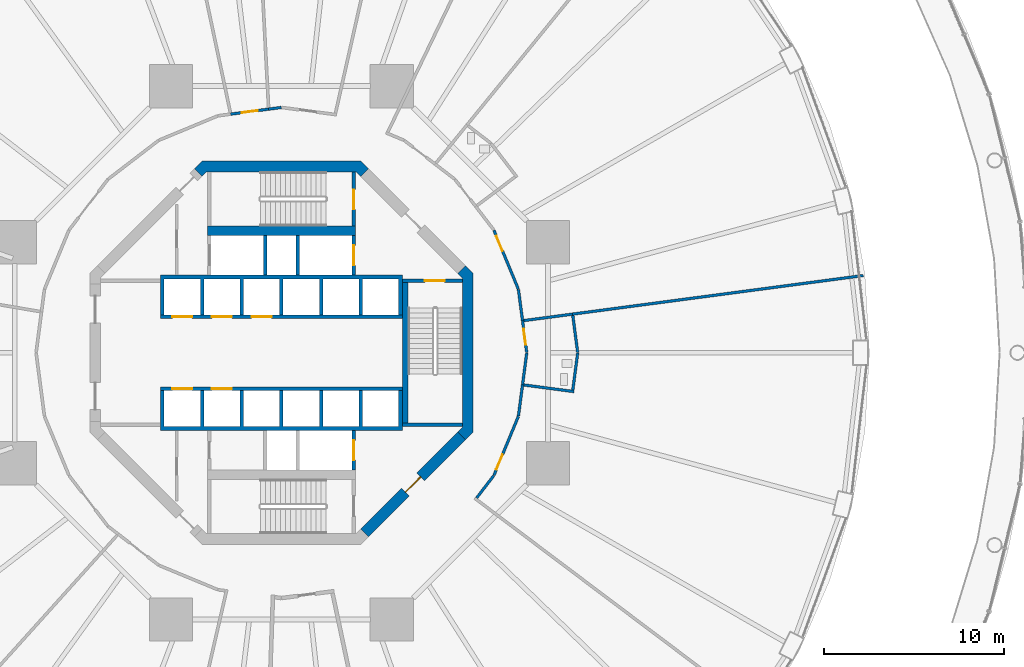
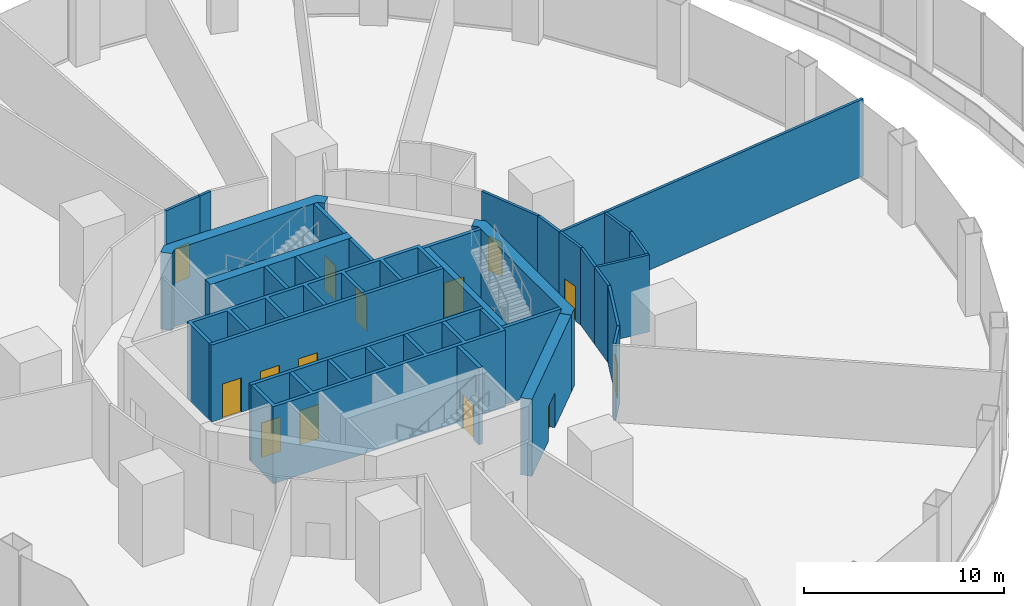
# One storey, part 43 of 47: 30 walls, 14 doors, 14 openings.
"""IFC4 building model written with IfcOpenShell, lengths in metres."""

from ifc_helpers import new_model, si_unit, direction, frame, frame_2d, origin, place, context, subcontext, project, spatial, polyline, rectangle, outline, extrude, material, layer, layer_set, type_object, element, fill, save


model = new_model("IFC4")

# Units and contexts
model_context = context("Model", 3, precision=1e-05, world=origin(), true_north=direction((0.0, 1.0)))
body_context = subcontext(model_context, "Body", "Model", "MODEL_VIEW")
ifc_project = project(units=[si_unit("LENGTHUNIT", "METRE"), si_unit("AREAUNIT", "SQUARE_METRE"), si_unit("VOLUMEUNIT", "CUBIC_METRE"), si_unit("PLANEANGLEUNIT", "RADIAN"), si_unit("MASSUNIT", "GRAM", prefix="KILO")], contexts=[model_context])

# Site, building, storey
site_placement = place(None, origin())
site = spatial("IfcSite", under=ifc_project, at=site_placement, CompositionType="ELEMENT")
building_placement = place(site_placement, origin())
building = spatial("IfcBuilding", under=site, at=building_placement, Name="Nagisa Residences", CompositionType="ELEMENT")
storey_placement = place(building_placement, frame((0.0, 0.0, 7.0)))
storey = spatial("IfcBuildingStorey", under=building, at=storey_placement, Name="L01", CompositionType="ELEMENT", Elevation=7.0)

# Wall, opening, door
ifc_material_1 = material(Name="Concrete C60", Category="concrete")
ifc_layer_1 = layer(ifc_material_1, 0.60009765625)
ifc_layer_set_1 = layer_set([ifc_layer_1], Name="Core shear wall 600")
wall_type_1 = type_object("IfcWallType", Name="Core shear wall 600", PredefinedType="SHEAR", material=ifc_layer_set_1)
wall_1_placement = place(storey_placement, frame((4.613037109375, -9.98828125, 0.0), z_axis=(0.0, 0.0, 1.0), x_axis=(0.707106781187, 0.707106781187, 0.0)))
wall_1 = element("IfcWall", 1, at=wall_1_placement, inside=storey, type_object=wall_type_1, Name="wall:L01:core:flat7", PredefinedType="SHEAR", context=body_context, shape_type="SweptSolid", body=[
    extrude(rectangle(XDim=7.601806640625, YDim=0.60009765625, at=frame_2d((3.80078125, 0.0))), origin(), (0.0, 0.0, 1.0), 4.699951171875),
])
opening_1_placement = place(wall_1_placement, frame((3.200927734375, 0.0, 0.0)))
opening_1 = element("IfcOpeningElement", 2, at=opening_1_placement, cuts=wall_1, Name="Opening L01-C16", PredefinedType="OPENING", context=body_context, shape_type="SweptSolid", body=[
    extrude(rectangle(XDim=1.199951171875, YDim=2.10009765625, at=frame_2d((0.60009765625, 1.050048828125))), frame((0.0, 0.31005859375, 0.0), z_axis=(0.0, -1.0, 0.0), x_axis=(1.0, 0.0, 0.0)), (0.0, 0.0, 1.0), 0.6201171875),
])
ifc_material_2 = material(Name="Steel fire door", Category="steel")
door_type_1 = type_object("IfcDoorType", Name="Fire door EI60 1200x2100 single swing", OperationType="NOTDEFINED", PredefinedType="DOOR", material=ifc_material_2)
door_1_placement = place(opening_1_placement, origin())
door_1 = element("IfcDoor", 3, at=door_1_placement, inside=storey, type_object=door_type_1, Name="Firefighting lobby 2 door L01", OperationType="SINGLE_SWING_LEFT", OverallHeight=2.10009765625, OverallWidth=1.199951171875, PredefinedType="DOOR", context=body_context, shape_type="SweptSolid", body=[
    extrude(rectangle(XDim=1.199951171875, YDim=2.10009765625, at=frame_2d((0.60009765625, 1.050048828125))), frame((0.0, 0.02490234375, 0.0), z_axis=(0.0, -1.0, 0.0), x_axis=(1.0, 0.0, 0.0)), (0.0, 0.0, 1.0), 0.050048828125),
])
fill(opening_1, door_1)

# Walls
wall_2_placement = place(storey_placement, origin())
element("IfcWall", 4, at=wall_2_placement, inside=storey, type_object=wall_type_1, Name="wall:L01:core:flat2", PredefinedType="SHEAR", context=body_context, shape_type="SweptSolid", body=[
    extrude(outline(polyline([(-4.15234375, 10.024658203125), (-4.40087890625, 9.776123046875), (-4.8251953125, 10.200439453125), (-4.40087890625, 10.62451171875), (4.40087890625, 10.62451171875), (4.8251953125, 10.200439453125), (4.40087890625, 9.776123046875), (4.15234375, 10.024658203125), (-4.15234375, 10.024658203125)])), origin(), (0.0, 0.0, 1.0), 4.699951171875),
])
wall_3_placement = place(storey_placement, origin())
element("IfcWall", 5, at=wall_3_placement, inside=storey, type_object=wall_type_1, Name="wall:L01:core:flat0", PredefinedType="SHEAR", context=body_context, shape_type="SweptSolid", body=[
    extrude(outline(polyline([(9.776123046875, -4.40087890625), (10.024658203125, -4.15234375), (10.024658203125, -3.801025390625), (10.024658203125, 4.15234375), (9.776123046875, 4.40087890625), (10.200439453125, 4.8251953125), (10.62451171875, 4.40087890625), (10.62451171875, -4.40087890625), (10.200439453125, -4.8251953125), (9.776123046875, -4.40087890625)])), origin(), (0.0, 0.0, 1.0), 4.699951171875),
])

# Wall, opening, door
ifc_material_3 = material(Name="Concrete C60", Category="concrete")
ifc_layer_2 = layer(ifc_material_3, 0.199951171875)
ifc_layer_set_2 = layer_set([ifc_layer_2], Name="Lift shaft wall 200")
wall_type_2 = type_object("IfcWallType", Name="Lift shaft wall 200", PredefinedType="SOLIDWALL", material=ifc_layer_set_2)
wall_4_placement = place(storey_placement, frame((4.0, 4.300048828125, 0.0), z_axis=(0.0, 0.0, 1.0), x_axis=(0.0, 1.0, 0.0)))
wall_4 = element("IfcWall", 6, at=wall_4_placement, inside=storey, type_object=wall_type_2, Name="wall:L01:Nb3", PredefinedType="SOLIDWALL", context=body_context, shape_type="SweptSolid", body=[
    extrude(rectangle(XDim=2.199951171875, YDim=0.199951171875, at=frame_2d((1.10009765625, 0.0))), origin(), (0.0, 0.0, 1.0), 4.699951171875),
])
opening_2_placement = place(wall_4_placement, frame((0.550048828125, 0.0, 0.0)))
opening_2 = element("IfcOpeningElement", 7, at=opening_2_placement, cuts=wall_4, Name="Opening L01-C06", PredefinedType="OPENING", context=body_context, shape_type="SweptSolid", body=[
    extrude(rectangle(XDim=1.10009765625, YDim=2.10009765625, at=frame_2d((0.550048828125, 1.050048828125))), frame((0.0, 0.10986328125, 0.0), z_axis=(0.0, -1.0, 0.0), x_axis=(1.0, 0.0, 0.0)), (0.0, 0.0, 1.0), 0.219970703125),
])
ifc_material_4 = material(Name="Stainless steel", Category="steel")
door_type_2 = type_object("IfcDoorType", Name="Lift landing door 1100x2100", OperationType="DOUBLE_DOOR_SLIDING", PredefinedType="DOOR", material=ifc_material_4)
door_2_placement = place(opening_2_placement, origin())
door_2 = element("IfcDoor", 8, at=door_2_placement, inside=storey, type_object=door_type_2, Name="Landing door FL1 L01", OperationType="DOUBLE_DOOR_SLIDING", OverallHeight=2.10009765625, OverallWidth=1.10009765625, PredefinedType="DOOR", context=body_context, shape_type="SweptSolid", body=[
    extrude(rectangle(XDim=1.10009765625, YDim=2.10009765625, at=frame_2d((0.550048828125, 1.050048828125))), frame((0.0, 0.02490234375, 0.0), z_axis=(0.0, -1.0, 0.0), x_axis=(1.0, 0.0, 0.0)), (0.0, 0.0, 1.0), 0.050048828125),
])
fill(opening_2, door_2)

# Wall, openings, doors
wall_5_placement = place(storey_placement, frame((-6.699951171875, 2.0, 0.0), z_axis=(0.0, 0.0, 1.0), x_axis=(1.0, 0.0, 0.0)))
wall_5 = element("IfcWall", 9, at=wall_5_placement, inside=storey, type_object=wall_type_2, Name="wall:L01:Nfront", PredefinedType="SOLIDWALL", context=body_context, shape_type="SweptSolid", body=[
    extrude(rectangle(XDim=13.39990234375, YDim=0.199951171875, at=frame_2d((6.699951171875, 0.0))), origin(), (0.0, 0.0, 1.0), 4.699951171875),
])
opening_3_placement = place(wall_5_placement, frame((0.64990234375, 0.0, 0.0)))
opening_3 = element("IfcOpeningElement", 10, at=opening_3_placement, cuts=wall_5, Name="Opening L01-C01", PredefinedType="OPENING", context=body_context, shape_type="SweptSolid", body=[
    extrude(rectangle(XDim=1.10009765625, YDim=2.10009765625, at=frame_2d((0.550048828125, 1.050048828125))), frame((0.0, 0.10986328125, 0.0), z_axis=(0.0, -1.0, 0.0), x_axis=(1.0, 0.0, 0.0)), (0.0, 0.0, 1.0), 0.219970703125),
])
opening_4_placement = place(wall_5_placement, frame((2.85009765625, 0.0, 0.0)))
opening_4 = element("IfcOpeningElement", 11, at=opening_4_placement, cuts=wall_5, Name="Opening L01-C02", PredefinedType="OPENING", context=body_context, shape_type="SweptSolid", body=[
    extrude(rectangle(XDim=1.10009765625, YDim=2.10009765625, at=frame_2d((0.550048828125, 1.050048828125))), frame((0.0, 0.10986328125, 0.0), z_axis=(0.0, -1.0, 0.0), x_axis=(1.0, 0.0, 0.0)), (0.0, 0.0, 1.0), 0.219970703125),
])
opening_5_placement = place(wall_5_placement, frame((5.050048828125, 0.0, 0.0)))
opening_5 = element("IfcOpeningElement", 12, at=opening_5_placement, cuts=wall_5, Name="Opening L01-C03", PredefinedType="OPENING", context=body_context, shape_type="SweptSolid", body=[
    extrude(rectangle(XDim=1.10009765625, YDim=2.10009765625, at=frame_2d((0.550048828125, 1.050048828125))), frame((0.0, 0.10986328125, 0.0), z_axis=(0.0, -1.0, 0.0), x_axis=(1.0, 0.0, 0.0)), (0.0, 0.0, 1.0), 0.219970703125),
])
door_3_placement = place(opening_3_placement, origin())
door_3 = element("IfcDoor", 13, at=door_3_placement, inside=storey, type_object=door_type_2, Name="Landing door A1 L01", OperationType="DOUBLE_DOOR_SLIDING", OverallHeight=2.10009765625, OverallWidth=1.10009765625, PredefinedType="DOOR", context=body_context, shape_type="SweptSolid", body=[
    extrude(rectangle(XDim=1.10009765625, YDim=2.10009765625, at=frame_2d((0.550048828125, 1.050048828125))), frame((0.0, 0.02490234375, 0.0), z_axis=(0.0, -1.0, 0.0), x_axis=(1.0, 0.0, 0.0)), (0.0, 0.0, 1.0), 0.050048828125),
])
fill(opening_3, door_3)
door_4_placement = place(opening_4_placement, origin())
door_4 = element("IfcDoor", 14, at=door_4_placement, inside=storey, type_object=door_type_2, Name="Landing door A2 L01", OperationType="DOUBLE_DOOR_SLIDING", OverallHeight=2.10009765625, OverallWidth=1.10009765625, PredefinedType="DOOR", context=body_context, shape_type="SweptSolid", body=[
    extrude(rectangle(XDim=1.10009765625, YDim=2.10009765625, at=frame_2d((0.550048828125, 1.050048828125))), frame((0.0, 0.02490234375, 0.0), z_axis=(0.0, -1.0, 0.0), x_axis=(1.0, 0.0, 0.0)), (0.0, 0.0, 1.0), 0.050048828125),
])
fill(opening_4, door_4)
door_5_placement = place(opening_5_placement, origin())
door_5 = element("IfcDoor", 15, at=door_5_placement, inside=storey, type_object=door_type_2, Name="Landing door A3 L01", OperationType="DOUBLE_DOOR_SLIDING", OverallHeight=2.10009765625, OverallWidth=1.10009765625, PredefinedType="DOOR", context=body_context, shape_type="SweptSolid", body=[
    extrude(rectangle(XDim=1.10009765625, YDim=2.10009765625, at=frame_2d((0.550048828125, 1.050048828125))), frame((0.0, 0.02490234375, 0.0), z_axis=(0.0, -1.0, 0.0), x_axis=(1.0, 0.0, 0.0)), (0.0, 0.0, 1.0), 0.050048828125),
])
fill(opening_5, door_5)

# Wall, opening, door
wall_6_placement = place(storey_placement, frame((4.0, -6.5, 0.0), z_axis=(0.0, 0.0, 1.0), x_axis=(0.0, 1.0, 0.0)))
wall_6 = element("IfcWall", 16, at=wall_6_placement, inside=storey, type_object=wall_type_2, Name="wall:L01:Sb3", PredefinedType="SOLIDWALL", context=body_context, shape_type="SweptSolid", body=[
    extrude(rectangle(XDim=2.199951171875, YDim=0.199951171875, at=frame_2d((1.10009765625, 0.0))), origin(), (0.0, 0.0, 1.0), 4.699951171875),
])
opening_6_placement = place(wall_6_placement, frame((0.550048828125, 0.0, 0.0)))
opening_6 = element("IfcOpeningElement", 17, at=opening_6_placement, cuts=wall_6, Name="Opening L01-C07", PredefinedType="OPENING", context=body_context, shape_type="SweptSolid", body=[
    extrude(rectangle(XDim=1.10009765625, YDim=2.10009765625, at=frame_2d((0.550048828125, 1.050048828125))), frame((0.0, 0.10986328125, 0.0), z_axis=(0.0, -1.0, 0.0), x_axis=(1.0, 0.0, 0.0)), (0.0, 0.0, 1.0), 0.219970703125),
])
door_6_placement = place(opening_6_placement, origin())
door_6 = element("IfcDoor", 18, at=door_6_placement, inside=storey, type_object=door_type_2, Name="Landing door FL2 L01", OperationType="DOUBLE_DOOR_SLIDING", OverallHeight=2.10009765625, OverallWidth=1.10009765625, PredefinedType="DOOR", context=body_context, shape_type="SweptSolid", body=[
    extrude(rectangle(XDim=1.10009765625, YDim=2.10009765625, at=frame_2d((0.550048828125, 1.050048828125))), frame((0.0, 0.02490234375, 0.0), z_axis=(0.0, -1.0, 0.0), x_axis=(1.0, 0.0, 0.0)), (0.0, 0.0, 1.0), 0.050048828125),
])
fill(opening_6, door_6)

# Wall, openings, doors
wall_7_placement = place(storey_placement, frame((-6.699951171875, -2.0, 0.0), z_axis=(0.0, 0.0, 1.0), x_axis=(1.0, 0.0, 0.0)))
wall_7 = element("IfcWall", 19, at=wall_7_placement, inside=storey, type_object=wall_type_2, Name="wall:L01:Sfront", PredefinedType="SOLIDWALL", context=body_context, shape_type="SweptSolid", body=[
    extrude(rectangle(XDim=13.39990234375, YDim=0.199951171875, at=frame_2d((6.699951171875, 0.0))), origin(), (0.0, 0.0, 1.0), 4.699951171875),
])
opening_7_placement = place(wall_7_placement, frame((0.64990234375, 0.0, 0.0)))
opening_7 = element("IfcOpeningElement", 20, at=opening_7_placement, cuts=wall_7, Name="Opening L01-C04", PredefinedType="OPENING", context=body_context, shape_type="SweptSolid", body=[
    extrude(rectangle(XDim=1.10009765625, YDim=2.10009765625, at=frame_2d((0.550048828125, 1.050048828125))), frame((0.0, 0.10986328125, 0.0), z_axis=(0.0, -1.0, 0.0), x_axis=(1.0, 0.0, 0.0)), (0.0, 0.0, 1.0), 0.219970703125),
])
opening_8_placement = place(wall_7_placement, frame((2.85009765625, 0.0, 0.0)))
opening_8 = element("IfcOpeningElement", 21, at=opening_8_placement, cuts=wall_7, Name="Opening L01-C05", PredefinedType="OPENING", context=body_context, shape_type="SweptSolid", body=[
    extrude(rectangle(XDim=1.10009765625, YDim=2.10009765625, at=frame_2d((0.550048828125, 1.050048828125))), frame((0.0, 0.10986328125, 0.0), z_axis=(0.0, -1.0, 0.0), x_axis=(1.0, 0.0, 0.0)), (0.0, 0.0, 1.0), 0.219970703125),
])
door_7_placement = place(opening_7_placement, origin())
door_7 = element("IfcDoor", 22, at=door_7_placement, inside=storey, type_object=door_type_2, Name="Landing door A4 L01", OperationType="DOUBLE_DOOR_SLIDING", OverallHeight=2.10009765625, OverallWidth=1.10009765625, PredefinedType="DOOR", context=body_context, shape_type="SweptSolid", body=[
    extrude(rectangle(XDim=1.10009765625, YDim=2.10009765625, at=frame_2d((0.550048828125, 1.050048828125))), frame((0.0, 0.02490234375, 0.0), z_axis=(0.0, -1.0, 0.0), x_axis=(1.0, 0.0, 0.0)), (0.0, 0.0, 1.0), 0.050048828125),
])
fill(opening_7, door_7)
door_8_placement = place(opening_8_placement, origin())
door_8 = element("IfcDoor", 23, at=door_8_placement, inside=storey, type_object=door_type_2, Name="Landing door A5 L01", OperationType="DOUBLE_DOOR_SLIDING", OverallHeight=2.10009765625, OverallWidth=1.10009765625, PredefinedType="DOOR", context=body_context, shape_type="SweptSolid", body=[
    extrude(rectangle(XDim=1.10009765625, YDim=2.10009765625, at=frame_2d((0.550048828125, 1.050048828125))), frame((0.0, 0.02490234375, 0.0), z_axis=(0.0, -1.0, 0.0), x_axis=(1.0, 0.0, 0.0)), (0.0, 0.0, 1.0), 0.050048828125),
])
fill(opening_8, door_8)

# Walls
wall_8_placement = place(storey_placement, origin())
element("IfcWall", 24, at=wall_8_placement, inside=storey, type_object=wall_type_2, Name="wall:L01:Sback", PredefinedType="SOLIDWALL", context=body_context, shape_type="SweptSolid", body=[
    extrude(outline(polyline([(-6.699951171875, -2.10009765625), (-6.5, -2.10009765625), (-6.5, -4.10009765625), (-4.5, -4.10009765625), (-4.5, -2.10009765625), (-4.300048828125, -2.10009765625), (-4.300048828125, -4.10009765625), (-2.300048828125, -4.10009765625), (-2.300048828125, -2.10009765625), (-2.10009765625, -2.10009765625), (-2.10009765625, -4.10009765625), (-0.10009765625, -4.10009765625), (-0.10009765625, -2.10009765625), (0.10009765625, -2.10009765625), (0.10009765625, -4.10009765625), (2.10009765625, -4.10009765625), (2.10009765625, -2.10009765625), (2.300048828125, -2.10009765625), (2.300048828125, -4.10009765625), (4.300048828125, -4.10009765625), (4.300048828125, -2.10009765625), (4.5, -2.10009765625), (4.5, -4.10009765625), (6.5, -4.10009765625), (6.5, -2.10009765625), (6.699951171875, -2.10009765625), (6.699951171875, -4.300048828125), (-6.699951171875, -4.300048828125), (-6.699951171875, -2.10009765625)])), origin(), (0.0, 0.0, 1.0), 4.699951171875),
])
for number, where, z_axis, x_axis, name in (
    (25, (-0.89990234375, 4.300048828125, 0.0), (0.0, 0.0, 1.0), (0.0, 1.0, 0.0), "wall:L01:Nb1"),
    (26, (0.89990234375, 4.300048828125, 0.0), (0.0, 0.0, 1.0), (0.0, 1.0, 0.0), "wall:L01:Nb2"),
):
    element("IfcWall", number, at=place(storey_placement, frame(where, z_axis=z_axis, x_axis=x_axis)), inside=storey, type_object=wall_type_2, Name=name, PredefinedType="SOLIDWALL", context=body_context, shape_type="SweptSolid", body=[
        extrude(rectangle(XDim=2.199951171875, YDim=0.199951171875, at=frame_2d((1.10009765625, 0.0))), origin(), (0.0, 0.0, 1.0), 4.699951171875),
    ])
wall_9_placement = place(storey_placement, origin())
element("IfcWall", 27, at=wall_9_placement, inside=storey, type_object=wall_type_2, Name="wall:L01:Nback", PredefinedType="SOLIDWALL", context=body_context, shape_type="SweptSolid", body=[
    extrude(outline(polyline([(-6.5, 2.10009765625), (-6.699951171875, 2.10009765625), (-6.699951171875, 4.300048828125), (6.699951171875, 4.300048828125), (6.699951171875, 2.10009765625), (6.5, 2.10009765625), (6.5, 4.10009765625), (4.5, 4.10009765625), (4.5, 2.10009765625), (4.300048828125, 2.10009765625), (4.300048828125, 4.10009765625), (2.300048828125, 4.10009765625), (2.300048828125, 2.10009765625), (2.10009765625, 2.10009765625), (2.10009765625, 4.10009765625), (0.10009765625, 4.10009765625), (0.10009765625, 2.10009765625), (-0.10009765625, 2.10009765625), (-0.10009765625, 4.10009765625), (-2.10009765625, 4.10009765625), (-2.10009765625, 2.10009765625), (-2.300048828125, 2.10009765625), (-2.300048828125, 4.10009765625), (-4.300048828125, 4.10009765625), (-4.300048828125, 2.10009765625), (-4.5, 2.10009765625), (-4.5, 4.10009765625), (-6.5, 4.10009765625), (-6.5, 2.10009765625)])), origin(), (0.0, 0.0, 1.0), 4.699951171875),
])

# Wall, opening, door
ifc_material_5 = material(Name="Gypsum board on steel studs", Category="steel")
ifc_layer_3 = layer(ifc_material_5, 0.14990234375)
ifc_layer_set_3 = layer_set([ifc_layer_3], Name="Room partition EI60 150")
wall_type_3 = type_object("IfcWallType", Name="Room partition EI60 150", PredefinedType="PARTITIONING", material=ifc_layer_set_3)
wall_10_placement = place(storey_placement, frame((-2.81201171875, 13.229736328125, 0.0), z_axis=(0.0, 0.0, 1.0), x_axis=(0.991438625664, 0.130573548402, 0.0)))
wall_10 = element("IfcWall", 28, at=wall_10_placement, inside=storey, type_object=wall_type_3, Name="wall:L01:am018", PredefinedType="PARTITIONING", context=body_context, shape_type="SweptSolid", body=[
    extrude(rectangle(XDim=2.1220703125, YDim=0.14990234375, at=frame_2d((1.06103515625, 0.0))), origin(), (0.0, 0.0, 1.0), 4.699951171875),
])
opening_9_placement = place(wall_10_placement, frame((0.611083984375, 0.0, 0.0)))
opening_9 = element("IfcOpeningElement", 29, at=opening_9_placement, cuts=wall_10, Name="Opening L01-A05", PredefinedType="OPENING", context=body_context, shape_type="SweptSolid", body=[
    extrude(rectangle(XDim=0.89990234375, YDim=2.10009765625, at=frame_2d((0.449951171875, 1.050048828125))), frame((0.0, 0.0849609375, 0.0), z_axis=(0.0, -1.0, 0.0), x_axis=(1.0, 0.0, 0.0)), (0.0, 0.0, 1.0), 0.169921875),
])
ifc_material_6 = material(Name="Steel fire door", Category="steel")
door_type_3 = type_object("IfcDoorType", Name="Fire door EI30 900x2100 single swing", OperationType="NOTDEFINED", PredefinedType="DOOR", material=ifc_material_6)
door_9_placement = place(opening_9_placement, origin())
door_9 = element("IfcDoor", 30, at=door_9_placement, inside=storey, type_object=door_type_3, Name="Pilates studio door", OperationType="SINGLE_SWING_LEFT", OverallHeight=2.10009765625, OverallWidth=0.89990234375, PredefinedType="DOOR", context=body_context, shape_type="SweptSolid", body=[
    extrude(rectangle(XDim=0.89990234375, YDim=2.10009765625, at=frame_2d((0.449951171875, 1.050048828125))), frame((0.0, 0.02490234375, 0.0), z_axis=(0.0, -1.0, 0.0), x_axis=(1.0, 0.0, 0.0)), (0.0, 0.0, 1.0), 0.050048828125),
])
fill(opening_9, door_9)

# Walls
wall_11_placement = place(storey_placement, frame((-0.7080078125, 13.5068359375, 0.0), z_axis=(0.0, 0.0, 1.0), x_axis=(0.991466123966, 0.130364585024, 0.0)))
element("IfcWall", 31, at=wall_11_placement, inside=storey, type_object=wall_type_3, Name="wall:L01:am020", PredefinedType="PARTITIONING", context=body_context, shape_type="SweptSolid", body=[
    extrude(rectangle(XDim=0.702392578125, YDim=0.14990234375, at=frame_2d((0.35107421875, 0.0))), origin(), (0.0, 0.0, 1.0), 4.699951171875),
])
wall_12_placement = place(storey_placement, frame((11.770751953125, -6.809326171875, 0.0), z_axis=(0.0, 0.0, 1.0), x_axis=(-0.608736478404, -0.79337248494, 0.0)))
element("IfcWall", 32, at=wall_12_placement, inside=storey, type_object=wall_type_3, Name="wall:L01:am033", PredefinedType="PARTITIONING", context=body_context, shape_type="SweptSolid", body=[
    extrude(rectangle(XDim=1.56298828125, YDim=0.14990234375, at=frame_2d((0.781494140625, 0.0))), origin(), (0.0, 0.0, 1.0), 4.699951171875),
])

# Wall, opening, door
wall_13_placement = place(storey_placement, frame((11.782470703125, 6.7890625, 0.0), z_axis=(0.0, 0.0, 1.0), x_axis=(0.382677866108, -0.923881838111, 0.0)))
wall_13 = element("IfcWall", 33, at=wall_13_placement, inside=storey, type_object=wall_type_3, Name="wall:L01:am034", PredefinedType="PARTITIONING", context=body_context, shape_type="SweptSolid", body=[
    extrude(rectangle(XDim=3.52685546875, YDim=0.14990234375, at=frame_2d((1.763427734375, 0.0))), origin(), (0.0, 0.0, 1.0), 4.699951171875),
])
opening_10_placement = place(wall_13_placement, frame((0.345703125, 0.0, 0.0)))
opening_10 = element("IfcOpeningElement", 34, at=opening_10_placement, cuts=wall_13, Name="Opening L01-A02", PredefinedType="OPENING", context=body_context, shape_type="SweptSolid", body=[
    extrude(rectangle(XDim=0.89990234375, YDim=2.10009765625, at=frame_2d((0.449951171875, 1.050048828125))), frame((0.0, 0.0849609375, 0.0), z_axis=(0.0, -1.0, 0.0), x_axis=(1.0, 0.0, 0.0)), (0.0, 0.0, 1.0), 0.169921875),
])
door_10_placement = place(opening_10_placement, frame((0.89990234375, 0.0, 0.0), x_axis=(-1.0, 0.0, 0.0)))
door_10 = element("IfcDoor", 35, at=door_10_placement, inside=storey, type_object=door_type_3, Name="Gym door", OperationType="SINGLE_SWING_LEFT", OverallHeight=2.10009765625, OverallWidth=0.89990234375, PredefinedType="DOOR", context=body_context, shape_type="SweptSolid", body=[
    extrude(rectangle(XDim=0.89990234375, YDim=2.10009765625, at=frame_2d((0.449951171875, 1.050048828125))), frame((0.0, 0.02490234375, 0.0), z_axis=(0.0, -1.0, 0.0), x_axis=(1.0, 0.0, 0.0)), (0.0, 0.0, 1.0), 0.050048828125),
])
fill(opening_10, door_10)

wall_14_placement = place(storey_placement, frame((13.132080078125, -3.53076171875, 0.0), z_axis=(0.0, 0.0, 1.0), x_axis=(-0.382677866108, -0.923881838111, 0.0)))
wall_14 = element("IfcWall", 36, at=wall_14_placement, inside=storey, type_object=wall_type_3, Name="wall:L01:am036", PredefinedType="PARTITIONING", context=body_context, shape_type="SweptSolid", body=[
    extrude(rectangle(XDim=3.52685546875, YDim=0.14990234375, at=frame_2d((1.763427734375, 0.0))), origin(), (0.0, 0.0, 1.0), 4.699951171875),
])
opening_11_placement = place(wall_14_placement, frame((2.281005859375, 0.0, 0.0)))
opening_11 = element("IfcOpeningElement", 37, at=opening_11_placement, cuts=wall_14, Name="Opening L01-A11", PredefinedType="OPENING", context=body_context, shape_type="SweptSolid", body=[
    extrude(rectangle(XDim=0.89990234375, YDim=2.10009765625, at=frame_2d((0.449951171875, 1.050048828125))), frame((0.0, 0.0849609375, 0.0), z_axis=(0.0, -1.0, 0.0), x_axis=(1.0, 0.0, 0.0)), (0.0, 0.0, 1.0), 0.169921875),
])
door_11_placement = place(opening_11_placement, origin())
door_11 = element("IfcDoor", 38, at=door_11_placement, inside=storey, type_object=door_type_3, Name="Linen and towel store door", OperationType="SINGLE_SWING_LEFT", OverallHeight=2.10009765625, OverallWidth=0.89990234375, PredefinedType="DOOR", context=body_context, shape_type="SweptSolid", body=[
    extrude(rectangle(XDim=0.89990234375, YDim=2.10009765625, at=frame_2d((0.449951171875, 1.050048828125))), frame((0.0, 0.02490234375, 0.0), z_axis=(0.0, -1.0, 0.0), x_axis=(1.0, 0.0, 0.0)), (0.0, 0.0, 1.0), 0.050048828125),
])
fill(opening_11, door_11)

# Walls
for number, where, z_axis, x_axis, name in (
    (39, (13.13818359375, 3.508056640625, 0.0), (0.0, 0.0, 1.0), (0.130526735914, -0.991444789795, 0.0), "wall:L01:am037"),
    (40, (13.366455078125, -1.774169921875, 0.0), (0.0, 0.0, 1.0), (-0.130526735914, -0.991444789795, 0.0), "wall:L01:am038"),
):
    element("IfcWall", number, at=place(storey_placement, frame(where, z_axis=z_axis, x_axis=x_axis)), inside=storey, type_object=wall_type_3, Name=name, PredefinedType="PARTITIONING", context=body_context, shape_type="SweptSolid", body=[
        extrude(rectangle(XDim=1.748779296875, YDim=0.14990234375, at=frame_2d((0.87451171875, 0.0))), origin(), (0.0, 0.0, 1.0), 4.699951171875),
    ])

# Wall, opening, door
wall_15_placement = place(storey_placement, frame((13.366455078125, 1.774169921875, 0.0), z_axis=(0.0, 0.0, 1.0), x_axis=(0.130472275964, -0.991451958092, 0.0)))
wall_15 = element("IfcWall", 41, at=wall_15_placement, inside=storey, type_object=wall_type_3, Name="wall:L01:am039", PredefinedType="PARTITIONING", context=body_context, shape_type="SweptSolid", body=[
    extrude(rectangle(XDim=1.777587890625, YDim=0.14990234375, at=frame_2d((0.888671875, 0.0))), origin(), (0.0, 0.0, 1.0), 4.699951171875),
])
opening_12_placement = place(wall_15_placement, frame((0.444580078125, 0.0, 0.0)))
opening_12 = element("IfcOpeningElement", 42, at=opening_12_placement, cuts=wall_15, Name="Opening L01-A10", PredefinedType="OPENING", context=body_context, shape_type="SweptSolid", body=[
    extrude(rectangle(XDim=0.89990234375, YDim=2.10009765625, at=frame_2d((0.449951171875, 1.050048828125))), frame((0.0, 0.0849609375, 0.0), z_axis=(0.0, -1.0, 0.0), x_axis=(1.0, 0.0, 0.0)), (0.0, 0.0, 1.0), 0.169921875),
])
door_12_placement = place(opening_12_placement, origin())
door_12 = element("IfcDoor", 43, at=door_12_placement, inside=storey, type_object=door_type_3, Name="WC door", OperationType="SINGLE_SWING_RIGHT", OverallHeight=2.10009765625, OverallWidth=0.89990234375, PredefinedType="DOOR", context=body_context, shape_type="SweptSolid", body=[
    extrude(rectangle(XDim=0.89990234375, YDim=2.10009765625, at=frame_2d((0.449951171875, 1.050048828125))), frame((0.0, 0.02490234375, 0.0), z_axis=(0.0, -1.0, 0.0), x_axis=(1.0, 0.0, 0.0)), (0.0, 0.0, 1.0), 0.050048828125),
])
fill(opening_12, door_12)

# Walls
wall_16_placement = place(storey_placement, frame((13.598388671875, -0.01171875, 0.0), z_axis=(0.0, 0.0, 1.0), x_axis=(-0.130472275964, -0.991451958092, 0.0)))
element("IfcWall", 44, at=wall_16_placement, inside=storey, type_object=wall_type_3, Name="wall:L01:am040", PredefinedType="PARTITIONING", context=body_context, shape_type="SweptSolid", body=[
    extrude(rectangle(XDim=1.777587890625, YDim=0.14990234375, at=frame_2d((0.888671875, 0.0))), origin(), (0.0, 0.0, 1.0), 4.699951171875),
])
wall_17_placement = place(storey_placement, frame((16.216552734375, -2.15234375, 0.0), z_axis=(0.0, 0.0, 1.0), x_axis=(-0.991307671763, 0.131564052479, 0.0)))
element("IfcWall", 45, at=wall_17_placement, inside=storey, type_object=wall_type_3, Name="wall:L01:am042", PredefinedType="PARTITIONING", context=body_context, shape_type="SweptSolid", body=[
    extrude(rectangle(XDim=2.80029296875, YDim=0.14990234375, at=frame_2d((1.400146484375, 0.0))), origin(), (0.0, 0.0, 1.0), 4.699951171875),
])
wall_18_placement = place(storey_placement, frame((16.14208984375, 2.142578125, 0.0), z_axis=(0.0, 0.0, 1.0), x_axis=(-0.991302075381, -0.131606213171, 0.0)))
element("IfcWall", 46, at=wall_18_placement, inside=storey, type_object=wall_type_3, Name="wall:L01:am043", PredefinedType="PARTITIONING", context=body_context, shape_type="SweptSolid", body=[
    extrude(rectangle(XDim=2.72509765625, YDim=0.14990234375, at=frame_2d((1.362548828125, 0.0))), origin(), (0.0, 0.0, 1.0), 4.699951171875),
])
for number, where, z_axis, x_axis, name in (
    (47, (16.15185546875, 2.068115234375, 0.0), (0.0, 0.0, 1.0), (0.130536722516, -0.991443474977, 0.0), "wall:L01:am044"),
    (48, (16.422607421875, -0.01171875, 0.0), (0.0, 0.0, 1.0), (-0.130536722516, -0.991443474977, 0.0), "wall:L01:am045"),
):
    element("IfcWall", number, at=place(storey_placement, frame(where, z_axis=z_axis, x_axis=x_axis)), inside=storey, type_object=wall_type_3, Name=name, PredefinedType="PARTITIONING", context=body_context, shape_type="SweptSolid", body=[
        extrude(rectangle(XDim=2.07421875, YDim=0.14990234375, at=frame_2d((1.037109375, 0.0))), origin(), (0.0, 0.0, 1.0), 4.699951171875),
    ])
wall_19_placement = place(storey_placement, frame((32.253173828125, 4.281005859375, 0.0), z_axis=(0.0, 0.0, 1.0), x_axis=(-0.991306050086, -0.131576270896, 0.0)))
element("IfcWall", 49, at=wall_19_placement, inside=storey, type_object=wall_type_3, Name="wall:L01:am046", PredefinedType="PARTITIONING", context=body_context, shape_type="SweptSolid", body=[
    extrude(rectangle(XDim=16.25244140625, YDim=0.14990234375, at=frame_2d((8.126220703125, 0.0))), origin(), (0.0, 0.0, 1.0), 4.699951171875),
])

# Wall, opening, door
ifc_material_7 = material(Name="Concrete C60", Category="concrete")
ifc_layer_4 = layer(ifc_material_7, 0.199951171875)
ifc_layer_set_4 = layer_set([ifc_layer_4], Name="Stair enclosure wall 200")
wall_type_4 = type_object("IfcWallType", Name="Stair enclosure wall 200", PredefinedType="SOLIDWALL", material=ifc_layer_set_4)
wall_20_placement = place(storey_placement, frame((6.699951171875, 4.0, 0.0), z_axis=(0.0, 0.0, 1.0), x_axis=(1.0, 0.0, 0.0)))
wall_20 = element("IfcWall", 50, at=wall_20_placement, inside=storey, type_object=wall_type_4, Name="wall:L01:SE_n", PredefinedType="SOLIDWALL", context=body_context, shape_type="SweptSolid", body=[
    extrude(rectangle(XDim=3.32470703125, YDim=0.199951171875, at=frame_2d((1.662353515625, 0.0))), origin(), (0.0, 0.0, 1.0), 4.699951171875),
])
opening_13_placement = place(wall_20_placement, frame((1.25, 0.0, 0.0)))
opening_13 = element("IfcOpeningElement", 51, at=opening_13_placement, cuts=wall_20, Name="Opening L01-C09", PredefinedType="OPENING", context=body_context, shape_type="SweptSolid", body=[
    extrude(rectangle(XDim=1.10009765625, YDim=2.10009765625, at=frame_2d((0.550048828125, 1.050048828125))), frame((0.0, 0.10986328125, 0.0), z_axis=(0.0, -1.0, 0.0), x_axis=(1.0, 0.0, 0.0)), (0.0, 0.0, 1.0), 0.219970703125),
])
ifc_material_8 = material(Name="Steel fire door", Category="steel")
door_type_4 = type_object("IfcDoorType", Name="Fire door EI90 1100x2100 single swing", OperationType="NOTDEFINED", PredefinedType="DOOR", material=ifc_material_8)
door_13_placement = place(opening_13_placement, frame((1.10009765625, 0.0, 0.0), x_axis=(-1.0, 0.0, 0.0)))
door_13 = element("IfcDoor", 52, at=door_13_placement, inside=storey, type_object=door_type_4, Name="Stair door ST-E L01", OperationType="SINGLE_SWING_LEFT", OverallHeight=2.10009765625, OverallWidth=1.10009765625, PredefinedType="DOOR", context=body_context, shape_type="SweptSolid", body=[
    extrude(rectangle(XDim=1.10009765625, YDim=2.10009765625, at=frame_2d((0.550048828125, 1.050048828125))), frame((0.0, 0.02490234375, 0.0), z_axis=(0.0, -1.0, 0.0), x_axis=(1.0, 0.0, 0.0)), (0.0, 0.0, 1.0), 0.050048828125),
])
fill(opening_13, door_13)

wall_21_placement = place(storey_placement, frame((4.0, 7.024658203125, 0.0), z_axis=(0.0, 0.0, 1.0), x_axis=(0.0, 1.0, 0.0)))
wall_21 = element("IfcWall", 53, at=wall_21_placement, inside=storey, type_object=wall_type_4, Name="wall:L01:SN_e", PredefinedType="SOLIDWALL", context=body_context, shape_type="SweptSolid", body=[
    extrude(rectangle(XDim=3.0, YDim=0.199951171875, at=frame_2d((1.5, 0.0))), origin(), (0.0, 0.0, 1.0), 4.699951171875),
])
opening_14_placement = place(wall_21_placement, frame((0.92529296875, 0.0, 0.0)))
opening_14 = element("IfcOpeningElement", 54, at=opening_14_placement, cuts=wall_21, Name="Opening L01-C10", PredefinedType="OPENING", context=body_context, shape_type="SweptSolid", body=[
    extrude(rectangle(XDim=1.10009765625, YDim=2.10009765625, at=frame_2d((0.550048828125, 1.050048828125))), frame((0.0, 0.10986328125, 0.0), z_axis=(0.0, -1.0, 0.0), x_axis=(1.0, 0.0, 0.0)), (0.0, 0.0, 1.0), 0.219970703125),
])
door_14_placement = place(opening_14_placement, origin())
door_14 = element("IfcDoor", 55, at=door_14_placement, inside=storey, type_object=door_type_4, Name="Stair door ST-N L01", OperationType="SINGLE_SWING_RIGHT", OverallHeight=2.10009765625, OverallWidth=1.10009765625, PredefinedType="DOOR", context=body_context, shape_type="SweptSolid", body=[
    extrude(rectangle(XDim=1.10009765625, YDim=2.10009765625, at=frame_2d((0.550048828125, 1.050048828125))), frame((0.0, 0.02490234375, 0.0), z_axis=(0.0, -1.0, 0.0), x_axis=(1.0, 0.0, 0.0)), (0.0, 0.0, 1.0), 0.050048828125),
])
fill(opening_14, door_14)

# Walls
wall_22_placement = place(storey_placement, origin())
element("IfcWall", 56, at=wall_22_placement, inside=storey, type_object=wall_type_4, Name="wall:L01:SN_s", PredefinedType="SOLIDWALL", context=body_context, shape_type="SweptSolid", body=[
    extrude(outline(polyline([(4.10009765625, 6.5), (-4.10009765625, 6.5), (-4.10009765625, 7.024658203125), (4.10009765625, 7.024658203125), (4.10009765625, 6.5)])), origin(), (0.0, 0.0, 1.0), 4.699951171875),
])
wall_23_placement = place(storey_placement, origin())
element("IfcWall", 57, at=wall_23_placement, inside=storey, type_object=wall_type_4, Name="wall:L01:SE_w", PredefinedType="SOLIDWALL", context=body_context, shape_type="SweptSolid", body=[
    extrude(outline(polyline([(7.024658203125, -3.89990234375), (6.699951171875, -3.89990234375), (6.699951171875, 3.89990234375), (7.024658203125, 3.89990234375), (7.024658203125, -3.89990234375)])), origin(), (0.0, 0.0, 1.0), 4.699951171875),
])
wall_24_placement = place(storey_placement, origin())
element("IfcWall", 58, at=wall_24_placement, inside=storey, type_object=wall_type_4, Name="wall:L01:SE_s", PredefinedType="SOLIDWALL", context=body_context, shape_type="SweptSolid", body=[
    extrude(outline(polyline([(10.024658203125, -4.10009765625), (6.699951171875, -4.10009765625), (6.699951171875, -3.89990234375), (10.024658203125, -3.89990234375), (10.024658203125, -4.10009765625)])), origin(), (0.0, 0.0, 1.0), 4.699951171875),
])

save(model, "model.ifc")
